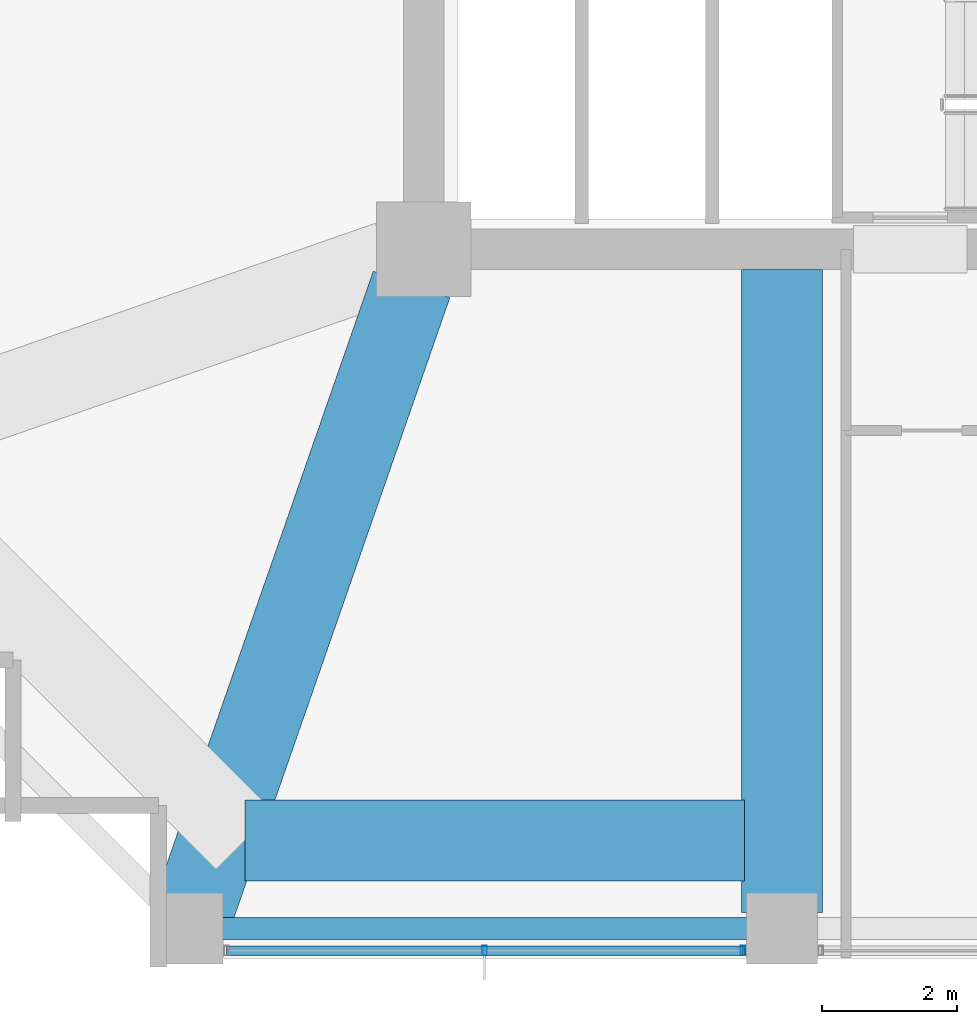
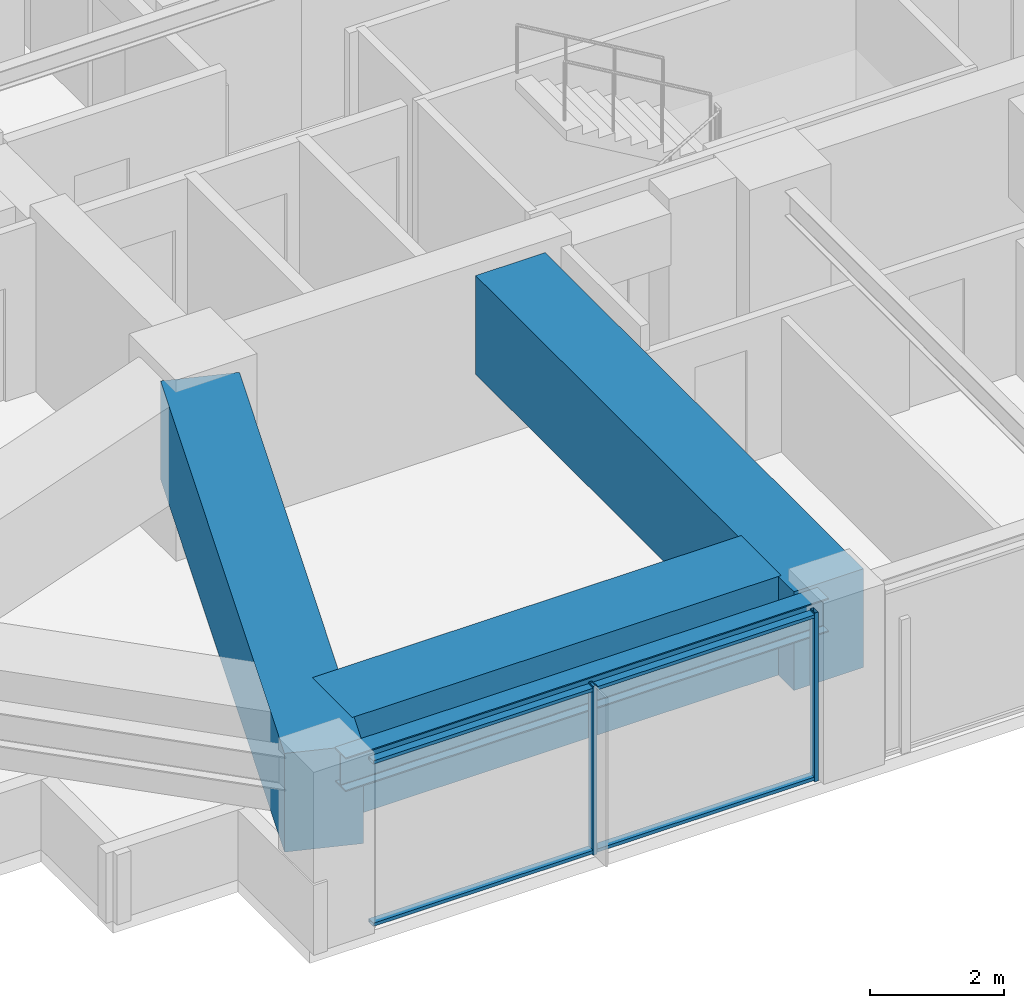
# One storey, part 3 of 34: 4 beams, 4 members, 1 element without a shape of its own.
"""IFC4 building model written with IfcOpenShell, lengths in metres."""

from ifc_helpers import new_model, si_unit, direction, frame, origin, origin_2d, place, context, subcontext, project, spatial, rectangle, hollow_rectangle, i_section, extrude, material, material_profile, profile_set, type_object, element, aggregate, save


model = new_model("IFC4")

# Units and contexts
model_context = context("Model", 3, precision=1e-05, world=origin(), true_north=direction((0.0, 1.0)))
body_context = subcontext(model_context, "Body", "Model", "MODEL_VIEW")
ifc_project = project(units=[si_unit("LENGTHUNIT", "METRE"), si_unit("AREAUNIT", "SQUARE_METRE"), si_unit("VOLUMEUNIT", "CUBIC_METRE"), si_unit("PLANEANGLEUNIT", "RADIAN"), si_unit("MASSUNIT", "GRAM", prefix="KILO")], contexts=[model_context])

# Site, building, storey
site_placement = place(None, origin())
site = spatial("IfcSite", under=ifc_project, at=site_placement, CompositionType="ELEMENT")
building_placement = place(site_placement, origin())
building = spatial("IfcBuilding", under=site, at=building_placement, Name="Kolvaren Belvedere", CompositionType="ELEMENT")
storey_placement = place(building_placement, frame((0.0, 0.0, 105.199951171875)))
storey = spatial("IfcBuildingStorey", under=building, at=storey_placement, Name="L30", CompositionType="ELEMENT", Elevation=105.199951171875)

# Beams
ifc_material_1 = material(Name="Structural steel ASTM A992 Grade 50", Category="steel")
ifc_material_profile_1 = material_profile(ifc_material_1, i_section(OverallWidth=0.324951171875, OverallDepth=0.615966796875, WebThickness=0.013916015625, FlangeThickness=0.021484375, FilletRadius=0.02001953125, at=origin_2d()), Name="W24X117")
ifc_profile_set_1 = profile_set([ifc_material_profile_1], Name="Structural steel ASTM A992 Grade 50")
beam_type_1 = type_object("IfcBeamType", Name="BM-SPAN-W24X117", PredefinedType="SPANDREL", material=ifc_profile_set_1)
beam_1_placement = place(storey_placement, frame((-13.163818359375, -19.949951171875, 2.77197265625), z_axis=(1.0, 0.0, 0.0), x_axis=(0.0, 1.0, 0.0)))
element("IfcBeam", 1, at=beam_1_placement, inside=storey, type_object=beam_type_1, Name="L30 Perimeter Spandrel S1-S2", PredefinedType="SPANDREL", context=body_context, shape_type="SweptSolid", body=[
    extrude(i_section(OverallWidth=0.324951171875, OverallDepth=0.615966796875, WebThickness=0.013916015625, FlangeThickness=0.021484375, FilletRadius=0.02001953125, at=origin_2d()), origin(), (0.0, 0.0, 1.0), 8.32763671875),
])
ifc_material_2 = material(Name="Concrete C50/60", Category="concrete")
ifc_material_profile_2 = material_profile(ifc_material_2, rectangle(XDim=1.199951171875, YDim=1.800048828125, at=origin_2d()), Name="RC 1200X1800")
ifc_profile_set_2 = profile_set([ifc_material_profile_2], Name="Concrete C50/60")
beam_type_2 = type_object("IfcBeamType", Name="BM-TG-1800", PredefinedType="BEAM", material=ifc_profile_set_2)
beam_2_placement = place(storey_placement, frame((-12.550048828125, -18.64990234375, 2.179931640625), z_axis=(1.0, 0.0, 0.0), x_axis=(0.0, 1.0, 0.0)))
element("IfcBeam", 2, at=beam_2_placement, inside=storey, type_object=beam_type_2, Name="L30 Step Transfer Ring Girder S1-S2", PredefinedType="BEAM", context=body_context, shape_type="SweptSolid", body=[
    extrude(rectangle(XDim=1.199951171875, YDim=1.800048828125, at=origin_2d()), origin(), (0.0, 0.0, 1.0), 7.400146484375),
])
beam_3_placement = place(storey_placement, frame((-4.60009765625, -10.199951171875, 2.179931640625), z_axis=(0.0, -1.0, 0.0), x_axis=(1.0, 0.0, 0.0)))
element("IfcBeam", 3, at=beam_3_placement, inside=storey, type_object=beam_type_2, Name="L30 South Radial Girder M", PredefinedType="BEAM", context=body_context, shape_type="SweptSolid", body=[
    extrude(rectangle(XDim=1.199951171875, YDim=1.800048828125, at=origin_2d()), origin(), (0.0, 0.0, 1.0), 9.513916015625),
])
beam_4_placement = place(storey_placement, frame((-10.080810546875, -10.41943359375, 2.179931640625), z_axis=(-0.328880894453, -0.944371408538, 0.0), x_axis=(0.944371408538, -0.328880894453, 0.0)))
element("IfcBeam", 4, at=beam_4_placement, inside=storey, type_object=beam_type_2, Name="L30 Corner Core-to-Perimeter Girder CC1-S1", PredefinedType="BEAM", context=body_context, shape_type="SweptSolid", body=[
    extrude(rectangle(XDim=1.199951171875, YDim=1.800048828125, at=origin_2d()), origin(), (0.0, 0.0, 1.0), 9.882080078125),
])

# Curtain wall, members
ifc_material_3 = material(Name="Anodised pale-metal aluminium AA 6063-T6", Category="aluminium")
curtain_wall_type = type_object("IfcCurtainWallType", Name="CW-Z2-MID", PredefinedType="NOTDEFINED", material=ifc_material_3)
curtain_wall_placement = place(storey_placement, origin())
curtain_wall = element("IfcCurtainWall", 5, at=curtain_wall_placement, inside=storey, type_object=curtain_wall_type, Name="L30 Unitised Curtain Wall FCW-L30-S-B3", PredefinedType="NOTDEFINED")
ifc_material_4 = material(Name="Anodised pale-metal aluminium AA 6063-T6", Category="aluminium")
ifc_material_profile_3 = material_profile(ifc_material_4, hollow_rectangle(XDim=0.06494140625, YDim=0.139892578125, WallThickness=0.00390625, at=origin_2d()), Name="ALU-MUL-140X65")
ifc_profile_set_3 = profile_set([ifc_material_profile_3], Name="Anodised pale-metal aluminium AA 6063-T6")
member_type_1 = type_object("IfcMemberType", Name="CW-MUL-140", PredefinedType="MULLION", material=ifc_profile_set_3)
member_1_placement = place(storey_placement, frame((-5.177490234375, -20.280029296875, 0.0), z_axis=(0.0, 0.0, 1.0), x_axis=(1.0, 0.0, 0.0)))
member_1 = element("IfcMember", 6, at=member_1_placement, type_object=member_type_1, Name="FCW-L30-S-B3 Unitised Mullion 1", PredefinedType="MULLION", context=body_context, shape_type="SweptSolid", body=[
    extrude(hollow_rectangle(XDim=0.06494140625, YDim=0.139892578125, WallThickness=0.00390625, at=origin_2d()), origin(), (0.0, 0.0, 1.0), 3.080078125),
])
member_2_placement = place(storey_placement, frame((-9.0, -20.280029296875, 0.0), z_axis=(0.0, 0.0, 1.0), x_axis=(1.0, 0.0, 0.0)))
member_2 = element("IfcMember", 7, at=member_2_placement, type_object=member_type_1, Name="FCW-L30-S-B3 Unitised Mullion 2", PredefinedType="MULLION", context=body_context, shape_type="SweptSolid", body=[
    extrude(hollow_rectangle(XDim=0.06494140625, YDim=0.139892578125, WallThickness=0.00390625, at=origin_2d()), origin(), (0.0, 0.0, 1.0), 3.080078125),
])
ifc_material_5 = material(Name="Anodised pale-metal aluminium AA 6063-T6", Category="aluminium")
ifc_material_profile_4 = material_profile(ifc_material_5, hollow_rectangle(XDim=0.06005859375, YDim=0.139892578125, WallThickness=0.00390625, at=origin_2d()), Name="ALU-TRN-140X60")
ifc_profile_set_4 = profile_set([ifc_material_profile_4], Name="Anodised pale-metal aluminium AA 6063-T6")
member_type_2 = type_object("IfcMemberType", Name="CW-TRN-140", PredefinedType="USERDEFINED", material=ifc_profile_set_4)
member_3_placement = place(storey_placement, frame((-5.177490234375, -20.280029296875, 0.06005859375), z_axis=(-1.0, 0.0, 0.0), x_axis=(0.0, 0.0, 1.0)))
member_3 = element("IfcMember", 8, at=member_3_placement, type_object=member_type_2, Name="FCW-L30-S-B3 Sill Transom", ObjectType="TRANSOM", PredefinedType="USERDEFINED", context=body_context, shape_type="SweptSolid", body=[
    extrude(hollow_rectangle(XDim=0.06005859375, YDim=0.139892578125, WallThickness=0.00390625, at=origin_2d()), origin(), (0.0, 0.0, 1.0), 7.64501953125),
])
member_4_placement = place(storey_placement, frame((-5.177490234375, -20.280029296875, 3.02001953125), z_axis=(-1.0, 0.0, 0.0), x_axis=(0.0, 0.0, 1.0)))
member_4 = element("IfcMember", 9, at=member_4_placement, type_object=member_type_2, Name="FCW-L30-S-B3 Head Transom", ObjectType="TRANSOM", PredefinedType="USERDEFINED", context=body_context, shape_type="SweptSolid", body=[
    extrude(hollow_rectangle(XDim=0.06005859375, YDim=0.139892578125, WallThickness=0.00390625, at=origin_2d()), origin(), (0.0, 0.0, 1.0), 7.64501953125),
])
aggregate(curtain_wall, [member_1, member_2, member_3, member_4])

save(model, "model.ifc")
